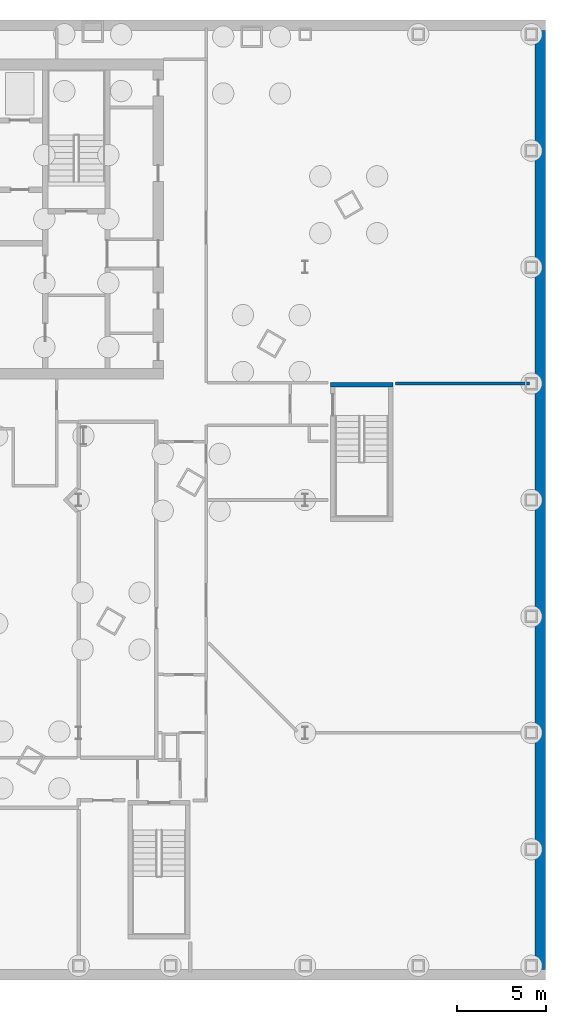
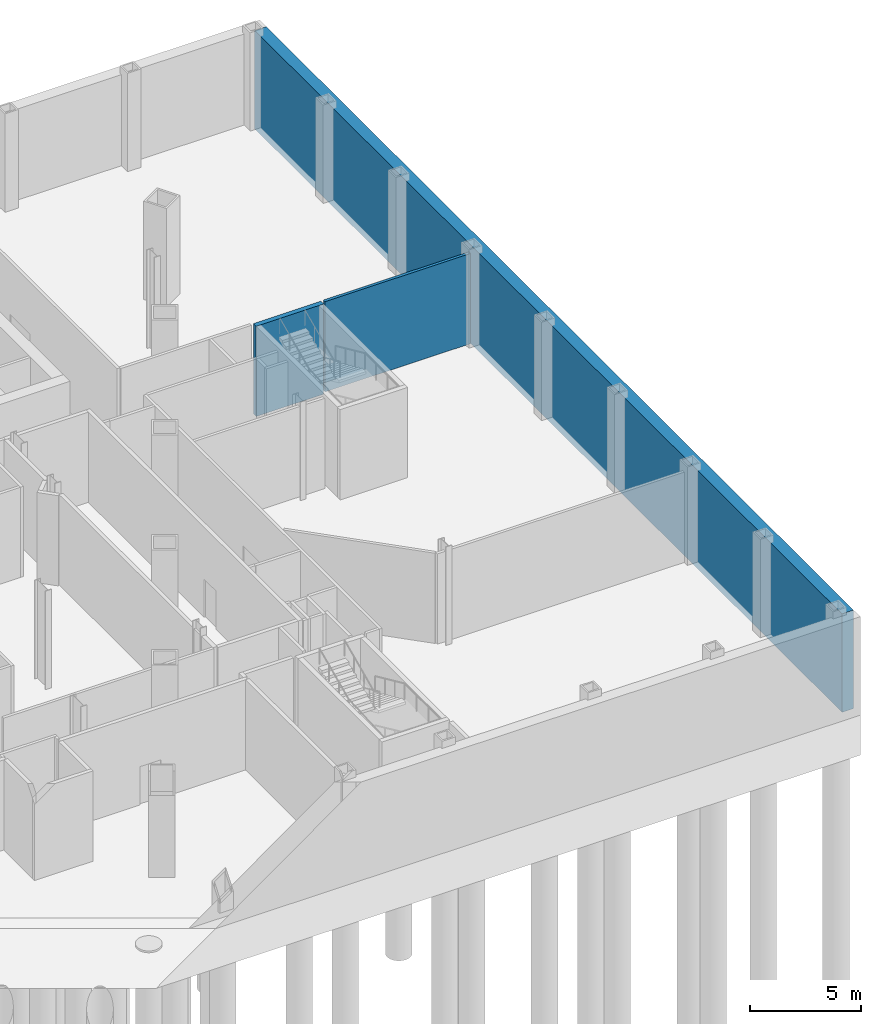
# One storey, part 12 of 19: 3 walls.
"""IFC4 building model written with IfcOpenShell, lengths in metres."""

from ifc_helpers import new_model, si_unit, direction, frame, frame_2d, origin, place, context, subcontext, project, spatial, rectangle, extrude, material, layer, layer_set, type_object, element, save


model = new_model("IFC4")

# Units and contexts
model_context = context("Model", 3, precision=1e-05, world=origin(), true_north=direction((0.0, 1.0)))
body_context = subcontext(model_context, "Body", "Model", "MODEL_VIEW")
ifc_project = project(units=[si_unit("LENGTHUNIT", "METRE"), si_unit("AREAUNIT", "SQUARE_METRE"), si_unit("VOLUMEUNIT", "CUBIC_METRE"), si_unit("PLANEANGLEUNIT", "RADIAN"), si_unit("MASSUNIT", "GRAM", prefix="KILO")], contexts=[model_context])

# Site, building, storey
site_placement = place(None, origin())
site = spatial("IfcSite", under=ifc_project, at=site_placement, CompositionType="ELEMENT")
building_placement = place(site_placement, origin())
building = spatial("IfcBuilding", under=site, at=building_placement, Name="Njiva Tower", CompositionType="ELEMENT")
storey_placement = place(building_placement, frame((0.0, 0.0, -16.8)))
storey = spatial("IfcBuildingStorey", under=building, at=storey_placement, Name="B3", CompositionType="ELEMENT", Elevation=-16.8)

# Walls
ifc_material_1 = material(Name="Gypsum board on steel studs", Category="gypsum")
ifc_layer_1 = layer(ifc_material_1, 0.15)
ifc_layer_set_1 = layer_set([ifc_layer_1], Name="Gypsum board on steel studs")
wall_type_1 = type_object("IfcWallType", Name="WT21 Compartment wall 150", PredefinedType="PARTITIONING", material=ifc_layer_set_1)
wall_1_placement = place(storey_placement, frame((30.55, -0.25, 0.0), z_axis=(0.0, 0.0, 1.0), x_axis=(1.0, 0.0, 0.0)))
element("IfcWall", 1, at=wall_1_placement, inside=storey, type_object=wall_type_1, Name="Partition B3-P115", PredefinedType="PARTITIONING", context=body_context, shape_type="SweptSolid", body=[
    extrude(rectangle(XDim=7.55, YDim=0.15, at=frame_2d((3.775, 0.0))), origin(), (0.0, 0.0, 1.0), 4.95),
])
ifc_material_2 = material(Name="Concrete C40/50", Category="concrete")
ifc_layer_2 = layer(ifc_material_2, 0.25)
ifc_layer_set_2 = layer_set([ifc_layer_2], Name="Concrete C40/50")
wall_type_2 = type_object("IfcWallType", Name="WT9 Stair enclosure wall 250", PredefinedType="SHEAR", material=ifc_layer_set_2)
wall_2_placement = place(storey_placement, frame((26.9, -0.325, 0.0), z_axis=(0.0, 0.0, 1.0), x_axis=(1.0, 0.0, 0.0)))
element("IfcWall", 2, at=wall_2_placement, inside=storey, type_object=wall_type_2, Name="Stair G wall north", PredefinedType="SHEAR", context=body_context, shape_type="SweptSolid", body=[
    extrude(rectangle(XDim=3.5, YDim=0.25, at=frame_2d((1.75, 0.0))), origin(), (0.0, 0.0, 1.0), 4.95),
])
ifc_layer_3 = layer(ifc_material_2, 0.6)
ifc_layer_set_3 = layer_set([ifc_layer_3], Name="Concrete C40/50")
wall_type_3 = type_object("IfcWallType", Name="WT93 Basement retaining wall 600", PredefinedType="STANDARD", material=ifc_layer_set_3)
wall_3_placement = place(storey_placement, frame((38.7, -33.2, -0.4), z_axis=(0.0, 0.0, 1.0), x_axis=(0.0, 1.0, 0.0)))
element("IfcWall", 3, at=wall_3_placement, inside=storey, type_object=wall_type_3, Name="Basement retaining wall", PredefinedType="STANDARD", context=body_context, shape_type="SweptSolid", body=[
    extrude(rectangle(XDim=52.8, YDim=0.6, at=frame_2d((26.4, 0.0))), origin(), (0.0, 0.0, 1.0), 5.4),
])

save(model, "model.ifc")
